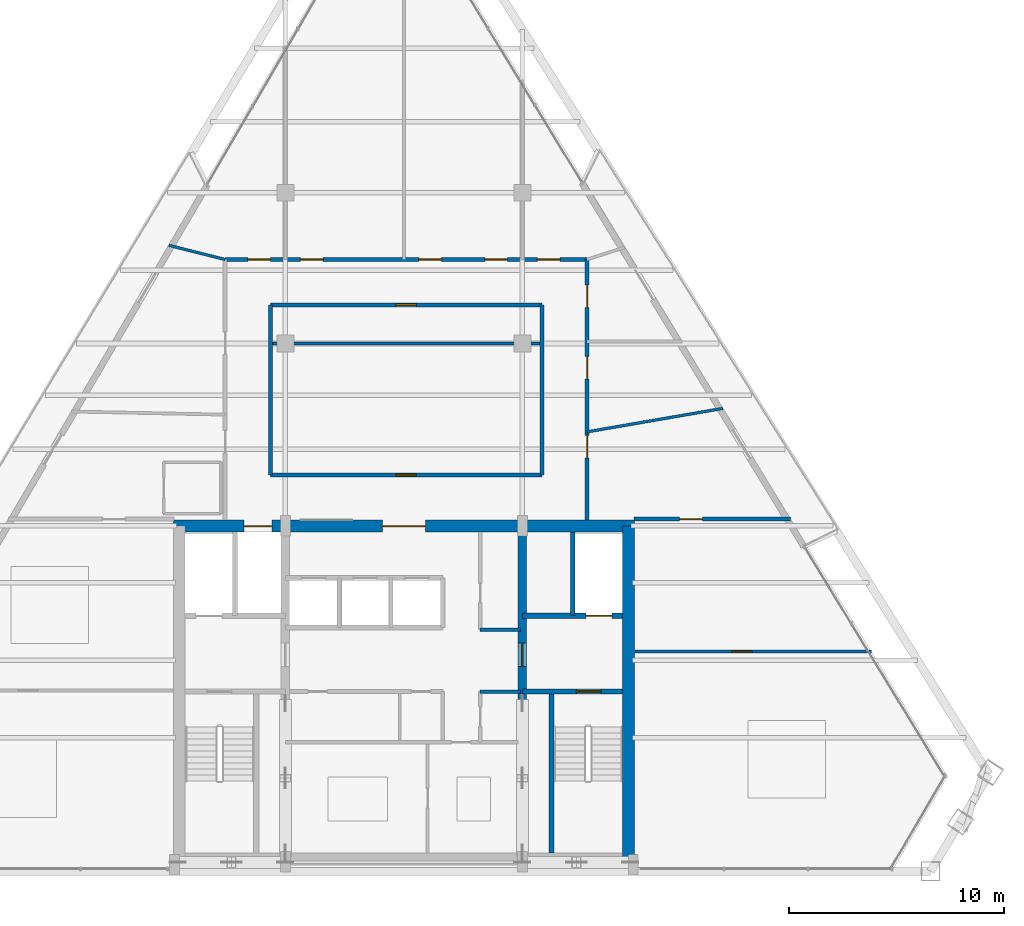
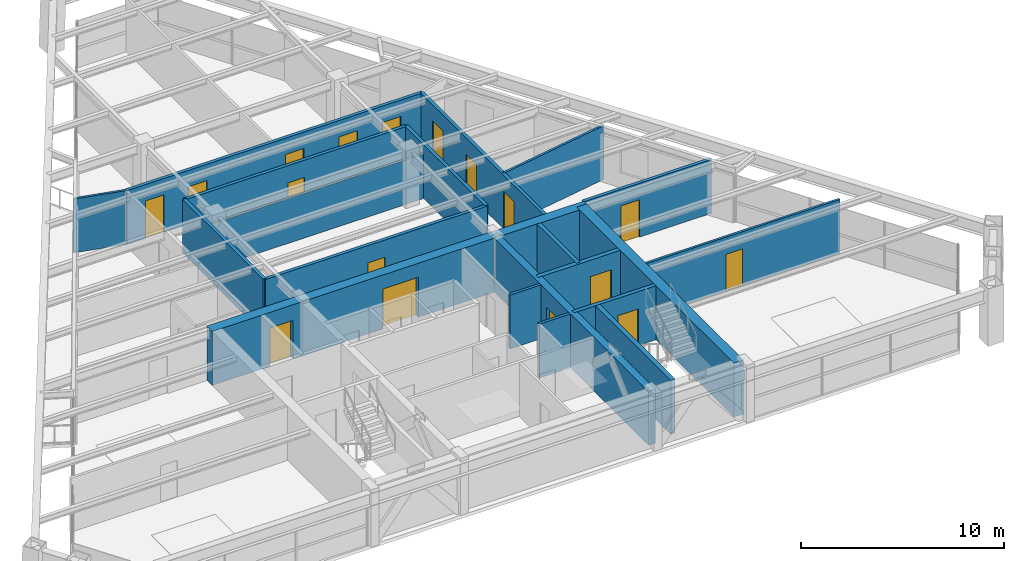
# One storey, part 10 of 13: 20 walls, 17 doors, 17 openings.
"""IFC4 building model written with IfcOpenShell, lengths in metres."""

import ifcopenshell
import ifcopenshell.guid

model = None  # the IFC model being written
_history = None  # IfcOwnerHistory: only IFC2X3 demands one
_inside = {}  # id of a spatial element -> (the spatial element, [elements in it])
_under = {}  # id of a project, library or spatial element -> (it, [spatial elements below it])
_declared = {}  # id of a project -> (the project, [libraries it declares])
_typed = {}  # id of a type object -> (the type object, [elements of that type])
_made_of = {}  # id of a material, layer set ... -> (it, [elements and type objects made of it])


def new_model(schema):
    """Start an empty IFC model of exactly this schema.

    Asked for "IFC4X3", IfcOpenShell would pick the latest addendum, in which some entities
    have other attributes; the version numbers below select the first issue.
    IFC2X3 requires an IfcOwnerHistory on every rooted entity: one is made here for all.
    """
    global model, _history
    if schema == "IFC4X3":
        model = ifcopenshell.file(schema_version=(4, 3, 0, 0))
    else:
        model = ifcopenshell.file(schema=schema)
    _inside.clear()
    _under.clear()
    _declared.clear()
    _typed.clear()
    _made_of.clear()
    _history = None
    if model.schema == "IFC2X3":
        org = make("IfcOrganization", Name="unknown")
        user = make(
            "IfcPersonAndOrganization",
            ThePerson=make("IfcPerson", FamilyName="unknown"),
            TheOrganization=org,
        )
        app = make(
            "IfcApplication",
            ApplicationDeveloper=org,
            Version="unknown",
            ApplicationFullName="unknown",
            ApplicationIdentifier="unknown",
        )
        _history = make(
            "IfcOwnerHistory",
            OwningUser=user,
            OwningApplication=app,
            ChangeAction="ADDED",
            CreationDate=0,
        )
    return model


def make(cls, **values):
    """One entity of the class cls with the attributes given. An attribute that is None is left unset."""
    return model.create_entity(
        cls, **{name: value for name, value in values.items() if value is not None}
    )


def rooted(cls, **values):
    """An entity with a GlobalId (a new one), such as an element, a storey or a relation."""
    return make(cls, GlobalId=ifcopenshell.guid.new(), OwnerHistory=_history, **values)


def si_unit(unit_type, name, prefix=None):
    """IfcSIUnit, for example si_unit("LENGTHUNIT", "METRE", prefix="MILLI")."""
    return make("IfcSIUnit", UnitType=unit_type, Prefix=prefix, Name=name)


def assignment(units):
    """IfcUnitAssignment: the units of a project."""
    return None if units is None else make("IfcUnitAssignment", Units=units)


def point(xyz):
    """IfcCartesianPoint."""
    return None if xyz is None else make("IfcCartesianPoint", Coordinates=xyz)


def direction(xyz):
    """IfcDirection."""
    return None if xyz is None else make("IfcDirection", DirectionRatios=xyz)


def frame(location, z_axis=None, x_axis=None):
    """IfcAxis2Placement3D, a coordinate frame: its origin and axes. An axis left out is left unset."""
    return make(
        "IfcAxis2Placement3D",
        Location=point(location),
        Axis=direction(z_axis),
        RefDirection=direction(x_axis),
    )


def frame_2d(location, x_axis=None):
    """IfcAxis2Placement2D, a coordinate frame in the plane: its origin and x axis."""
    return make(
        "IfcAxis2Placement2D", Location=point(location), RefDirection=direction(x_axis)
    )


def origin():
    """The frame at (0, 0, 0) with its axes left unset."""
    return frame((0.0, 0.0, 0.0))


def place(relative_to, where):
    """IfcLocalPlacement: puts the frame where relative to a parent placement (None: the world)."""
    return make(
        "IfcLocalPlacement", PlacementRelTo=relative_to, RelativePlacement=where
    )


def context(
    kind, dimensions, precision=None, world=None, true_north=None, identifier=None
):
    """IfcGeometricRepresentationContext, for example the 3D "Model" context."""
    return make(
        "IfcGeometricRepresentationContext",
        ContextIdentifier=identifier,
        ContextType=kind,
        CoordinateSpaceDimension=dimensions,
        Precision=precision,
        WorldCoordinateSystem=world,
        TrueNorth=true_north,
    )


def subcontext(parent, identifier, kind, view, scale=None):
    """IfcGeometricRepresentationSubContext, for example "Body" below "Model"."""
    return make(
        "IfcGeometricRepresentationSubContext",
        ContextIdentifier=identifier,
        ContextType=kind,
        ParentContext=parent,
        TargetScale=scale,
        TargetView=view,
    )


def project(units=None, contexts=None):
    """IfcProject with its units and contexts."""
    return rooted(
        "IfcProject",
        Name="project",
        RepresentationContexts=contexts,
        UnitsInContext=assignment(units),
    )


def spatial(cls, under=None, at=None, **own):
    """A site, building, storey or space (cls), placed at a placement, below another one or the project."""
    s = rooted(cls, ObjectPlacement=at, **own)
    if under is not None:
        _under.setdefault(under.id(), (under, []))[1].append(s)
    return s


def profile(cls, at=None, kind="AREA", **sizes):
    """A parametric profile (cls). Its sizes go by their IFC names, for example OverallWidth=200.0."""
    return make(cls, ProfileType=kind, Position=at, **sizes)


def rectangle(**sizes):
    """IfcRectangleProfileDef."""
    return profile("IfcRectangleProfileDef", **sizes)


def extrude(swept, where, along, depth):
    """IfcExtrudedAreaSolid: the profile swept, set in the frame where, extruded along a direction by depth."""
    return make(
        "IfcExtrudedAreaSolid",
        SweptArea=swept,
        Position=where,
        ExtrudedDirection=direction(along),
        Depth=depth,
    )


def shape(context_of_items, identifier, shape_type, items):
    """IfcShapeRepresentation: the items that make up one representation, for example the "Body"."""
    return make(
        "IfcShapeRepresentation",
        ContextOfItems=context_of_items,
        RepresentationIdentifier=identifier,
        RepresentationType=shape_type,
        Items=items,
    )


def source(mapping_origin, context_of_items, identifier, shape_type, items):
    """IfcRepresentationMap: a shape defined once, which mapped items show again and again."""
    return make(
        "IfcRepresentationMap",
        MappingOrigin=mapping_origin,
        MappedRepresentation=shape(context_of_items, identifier, shape_type, items),
    )


def transform(
    local_origin,
    x_axis=None,
    y_axis=None,
    z_axis=None,
    scale=None,
    scale2=None,
    scale3=None,
    uniform=True,
):
    """IfcCartesianTransformationOperator3D, or its non-uniform kind. x_axis, y_axis, z_axis: its Axis1, 2, 3."""
    if uniform:
        return make(
            "IfcCartesianTransformationOperator3D",
            Axis1=direction(x_axis),
            Axis2=direction(y_axis),
            LocalOrigin=point(local_origin),
            Scale=scale,
            Axis3=direction(z_axis),
        )
    return make(
        "IfcCartesianTransformationOperator3DnonUniform",
        Axis1=direction(x_axis),
        Axis2=direction(y_axis),
        LocalOrigin=point(local_origin),
        Scale=scale,
        Axis3=direction(z_axis),
        Scale2=scale2,
        Scale3=scale3,
    )


def mapped(mapping_source, mapping_target):
    """IfcMappedItem: shows the shape of a source again, moved by a transform."""
    return make(
        "IfcMappedItem", MappingSource=mapping_source, MappingTarget=mapping_target
    )


def material(Name=None, Category=None):
    """IfcMaterial."""
    return make("IfcMaterial", Name=Name, Category=Category)


def layer(
    of_material, thickness, ventilated=None, Name=None, Category=None, Priority=None
):
    """IfcMaterialLayer: one layer of a wall or slab, of a material (None: an air gap)."""
    return make(
        "IfcMaterialLayer",
        Material=of_material,
        LayerThickness=thickness,
        IsVentilated=ventilated,
        Name=Name,
        Category=Category,
        Priority=Priority,
    )


def layer_set(layers, Name=None):
    """IfcMaterialLayerSet."""
    return make("IfcMaterialLayerSet", MaterialLayers=layers, LayerSetName=Name)


def made_of(thing, what):
    """Note that an element or type object is made of a material, layer set ...; save() writes the relation."""
    if what is not None:
        _made_of.setdefault(what.id(), (what, []))[1].append(thing)
    return thing


def type_object(cls, material=None, **own):
    """A type object (cls), such as IfcWallType, which elements share."""
    return made_of(rooted(cls, **own), material)


def type_shapes(of_type, sources):
    """Give a type object the sources (RepresentationMaps) that its elements show as mapped items."""
    of_type.RepresentationMaps = sources


def element(
    cls,
    number,
    at=None,
    inside=None,
    cuts=None,
    type_object=None,
    material=None,
    context=None,
    identifier="Body",
    shape_type=None,
    held_by="IfcProductDefinitionShape",
    body=None,
    shapes=None,
    **own,
):
    """One element of the class cls, such as IfcWall. Its Tag is "e" and its number.

    at: its placement. inside: the storey or other place that contains it. cuts: it is an
    opening in that element (IfcRelVoidsElement). A single representation is given by context,
    identifier, shape_type and body (its items); several are given by shapes. held_by: the class
    of the entity that holds the representations. save() writes the other relations.
    """
    e = rooted(cls, Tag="e%d" % number, ObjectPlacement=at, **own)
    if body is not None:
        shapes = [shape(context, identifier, shape_type, body)]
    if shapes is not None:
        e.Representation = make(held_by, Representations=shapes)
    if inside is not None:
        _inside.setdefault(inside.id(), (inside, []))[1].append(e)
    if cuts is not None:
        rooted(
            "IfcRelVoidsElement", RelatingBuildingElement=cuts, RelatedOpeningElement=e
        )
    if type_object is not None:
        _typed.setdefault(type_object.id(), (type_object, []))[1].append(e)
    return made_of(e, material)


def fill(opening, filler):
    """IfcRelFillsElement: the door or window that sits in an opening."""
    return rooted(
        "IfcRelFillsElement",
        RelatingOpeningElement=opening,
        RelatedBuildingElement=filler,
    )


def aggregate(whole, parts):
    """IfcRelAggregates: a whole, such as a stair, and the parts it consists of."""
    return rooted("IfcRelAggregates", RelatingObject=whole, RelatedObjects=parts)


def save(model, path):
    """Write the relations noted so far, then the file.

    IfcRelAggregates (storeys below a building ...), IfcRelContainedInSpatialStructure (elements
    in a storey), IfcRelDefinesByType, IfcRelAssociatesMaterial and IfcRelDeclares: one each for
    every whole, place, type object, material and project.
    """
    for whole, parts in _under.values():
        aggregate(whole, parts)
    for where, things in _inside.values():
        rooted(
            "IfcRelContainedInSpatialStructure",
            RelatedElements=things,
            RelatingStructure=where,
        )
    for kind, things in _typed.values():
        rooted("IfcRelDefinesByType", RelatedObjects=things, RelatingType=kind)
    for what, things in _made_of.values():
        rooted("IfcRelAssociatesMaterial", RelatedObjects=things, RelatingMaterial=what)
    for by, libraries in _declared.values():
        rooted("IfcRelDeclares", RelatingContext=by, RelatedDefinitions=libraries)
    model.write(path)


model = new_model("IFC4")

# Units and contexts
model_context = context("Model", 3, precision=1e-05, world=origin(), true_north=direction((0.0, 1.0)))
body_context = subcontext(model_context, "Body", "Model", "MODEL_VIEW")
ifc_project = project(units=[si_unit("LENGTHUNIT", "METRE"), si_unit("AREAUNIT", "SQUARE_METRE"), si_unit("VOLUMEUNIT", "CUBIC_METRE"), si_unit("PLANEANGLEUNIT", "RADIAN"), si_unit("MASSUNIT", "GRAM", prefix="KILO")], contexts=[model_context])

# Site, building, storey
site_placement = place(None, origin())
site = spatial("IfcSite", under=ifc_project, at=site_placement, CompositionType="ELEMENT")
building_placement = place(site_placement, origin())
building = spatial("IfcBuilding", under=site, at=building_placement, Name="Varnakhor Terracotta Tower", CompositionType="ELEMENT")
storey_placement = place(building_placement, frame((0.0, 0.0, 251.050048828125)))
storey = spatial("IfcBuildingStorey", under=building, at=storey_placement, Name="L65", CompositionType="ELEMENT", Elevation=251.050048828125)

# Wall, openings, doors
ifc_material_1 = material(Name="Concrete C50/60", Category="concrete")
ifc_layer_1 = layer(ifc_material_1, 0.550048828125, Name="Concrete C50/60")
ifc_layer_set_1 = layer_set([ifc_layer_1], Name="Concrete C50/60")
wall_type_1 = type_object("IfcWallType", Name="WAL-CORE-550", PredefinedType="SHEAR", material=ifc_layer_set_1)
wall_1_placement = place(storey_placement, frame((-10.699951171875, 16.02490234375, 0.0), z_axis=(0.0, 0.0, 1.0), x_axis=(1.0, 0.0, 0.0)))
wall_1 = element("IfcWall", 1, at=wall_1_placement, inside=storey, type_object=wall_type_1, Name="L65 North Core Shear Wall", PredefinedType="SHEAR", context=body_context, shape_type="SweptSolid", body=[
    extrude(rectangle(XDim=21.39990234375, YDim=0.550048828125, at=frame_2d((10.699951171875, 0.0))), origin(), (0.0, 0.0, 1.0), 3.239990234375),
])
opening_1_placement = place(wall_1_placement, frame((3.27001953125, 0.0, 0.0)))
opening_1 = element("IfcOpeningElement", 2, at=opening_1_placement, cuts=wall_1, Name="Opening LD-03", PredefinedType="OPENING", context=body_context, shape_type="SweptSolid", body=[
    extrude(rectangle(XDim=1.300048828125, YDim=2.300048828125, at=frame_2d((0.64990234375, 1.14990234375))), frame((0.0, 0.28515625, 0.0), z_axis=(0.0, -1.0, 0.0), x_axis=(1.0, 0.0, 0.0)), (0.0, 0.0, 1.0), 0.570068359375),
])
opening_2_placement = place(wall_1_placement, frame((9.699951171875, 0.0, 0.0)))
opening_2 = element("IfcOpeningElement", 3, at=opening_2_placement, cuts=wall_1, Name="Opening DR-32", PredefinedType="OPENING", context=body_context, shape_type="SweptSolid", body=[
    extrude(rectangle(XDim=2.0, YDim=2.39990234375, at=frame_2d((1.0, 1.199951171875))), frame((0.0, 0.28515625, 0.0), z_axis=(0.0, -1.0, 0.0), x_axis=(1.0, 0.0, 0.0)), (0.0, 0.0, 1.0), 0.570068359375),
])
ifc_material_2 = material(Name="Heavy-Duty Goods Sliding Lift Landing Door", Category="steel")
door_type_1 = type_object("IfcDoorType", Name="LD-SRV-1300X2300", OperationType="NOTDEFINED", PredefinedType="DOOR", material=ifc_material_2)
shared_shape_1 = source(origin(), body_context, "Body", "SweptSolid", [
    extrude(rectangle(XDim=1.300048828125, YDim=2.300048828125, at=frame_2d((0.64990234375, 1.14990234375))), frame((0.0, 0.02490234375, 0.0), z_axis=(0.0, -1.0, 0.0), x_axis=(1.0, 0.0, 0.0)), (0.0, 0.0, 1.0), 0.050048828125),
])
type_shapes(door_type_1, [shared_shape_1])
door_1_placement = place(opening_1_placement, origin())
door_1 = element("IfcDoor", 4, at=door_1_placement, inside=storey, type_object=door_type_1, Name="L65 Service Lift SVL-1 Landing Door", OperationType="SLIDING_TO_RIGHT", OverallHeight=2.300048828125, OverallWidth=1.300048828125, PredefinedType="DOOR", context=body_context, shape_type="MappedRepresentation", body=[
    mapped(shared_shape_1, transform((0.0, 0.0, 0.0), scale=1.0)),
])
fill(opening_1, door_1)
ifc_material_3 = material(Name="Acoustic Double Assembly Fire Door", Category="wood")
door_type_2 = type_object("IfcDoorType", Name="DR-HALL-2000X2400", OperationType="NOTDEFINED", PredefinedType="DOOR", material=ifc_material_3)
shared_shape_2 = source(origin(), body_context, "Body", "SweptSolid", [
    extrude(rectangle(XDim=2.0, YDim=2.39990234375, at=frame_2d((1.0, 1.199951171875))), frame((0.0, 0.02490234375, 0.0), z_axis=(0.0, -1.0, 0.0), x_axis=(1.0, 0.0, 0.0)), (0.0, 0.0, 1.0), 0.050048828125),
])
type_shapes(door_type_2, [shared_shape_2])
door_2_placement = place(opening_2_placement, origin())
door_2 = element("IfcDoor", 5, at=door_2_placement, inside=storey, type_object=door_type_2, Name="L65 Core Main Lobby Double Door", OperationType="DOUBLE_DOOR_SINGLE_SWING", OverallHeight=2.39990234375, OverallWidth=2.0, PredefinedType="DOOR", context=body_context, shape_type="MappedRepresentation", body=[
    mapped(shared_shape_2, transform((0.0, 0.0, 0.0), scale=1.0)),
])
fill(opening_2, door_2)

# Wall
wall_2_placement = place(storey_placement, frame((10.425048828125, 0.574951171875, 0.0), z_axis=(0.0, 0.0, 1.0), x_axis=(0.0, 1.0, 0.0)))
element("IfcWall", 6, at=wall_2_placement, inside=storey, type_object=wall_type_1, Name="L65 East Core Shear Wall", PredefinedType="SHEAR", context=body_context, shape_type="SweptSolid", body=[
    extrude(rectangle(XDim=15.449951171875, YDim=0.550048828125, at=frame_2d((7.72509765625, 0.0))), origin(), (0.0, 0.0, 1.0), 3.239990234375),
])

# Wall, opening, door
ifc_layer_2 = layer(ifc_material_1, 0.39990234375, Name="Concrete C50/60")
ifc_layer_set_2 = layer_set([ifc_layer_2], Name="Concrete C50/60")
wall_type_2 = type_object("IfcWallType", Name="WAL-CORE-WEB-400", PredefinedType="SHEAR", material=ifc_layer_set_2)
wall_3_placement = place(storey_placement, frame((5.5, 0.574951171875, 0.0), z_axis=(0.0, 0.0, 1.0), x_axis=(0.0, 1.0, 0.0)))
wall_3 = element("IfcWall", 7, at=wall_3_placement, inside=storey, type_object=wall_type_2, Name="L65 East Core Web Shear Wall", PredefinedType="SHEAR", context=body_context, shape_type="SweptSolid", body=[
    extrude(rectangle(XDim=15.449951171875, YDim=0.39990234375, at=frame_2d((7.72509765625, 0.0))), origin(), (0.0, 0.0, 1.0), 3.239990234375),
])
opening_3_placement = place(wall_3_placement, frame((8.925048828125, 0.0, 0.0)))
opening_3 = element("IfcOpeningElement", 8, at=opening_3_placement, cuts=wall_3, Name="Opening DR-25", PredefinedType="OPENING", context=body_context, shape_type="SweptSolid", body=[
    extrude(rectangle(XDim=1.10009765625, YDim=2.199951171875, at=frame_2d((0.550048828125, 1.10009765625))), frame((0.0, 0.2099609375, 0.0), z_axis=(0.0, -1.0, 0.0), x_axis=(1.0, 0.0, 0.0)), (0.0, 0.0, 1.0), 0.419921875),
])
ifc_material_4 = material(Name="Firefighting Lobby Self-Closing Fire Door", Category="steel")
door_type_3 = type_object("IfcDoorType", Name="DR-FFL-1100X2200", OperationType="NOTDEFINED", PredefinedType="DOOR", material=ifc_material_4)
shared_shape_3 = source(origin(), body_context, "Body", "SweptSolid", [
    extrude(rectangle(XDim=1.10009765625, YDim=2.199951171875, at=frame_2d((0.550048828125, 1.10009765625))), frame((0.0, 0.02490234375, 0.0), z_axis=(0.0, -1.0, 0.0), x_axis=(1.0, 0.0, 0.0)), (0.0, 0.0, 1.0), 0.050048828125),
])
type_shapes(door_type_3, [shared_shape_3])
door_3_placement = place(opening_3_placement, origin())
door_3 = element("IfcDoor", 9, at=door_3_placement, inside=storey, type_object=door_type_3, Name="L65 East Firefighting Lobby Door", OperationType="SINGLE_SWING_LEFT", OverallHeight=2.199951171875, OverallWidth=1.10009765625, PredefinedType="DOOR", context=body_context, shape_type="MappedRepresentation", body=[
    mapped(shared_shape_3, transform((0.0, 0.0, 0.0), scale=1.0)),
])
fill(opening_3, door_3)

ifc_material_5 = material(Name="Fire-Rated Gypsum Stud Partition", Category="gypsum")
ifc_layer_3 = layer(ifc_material_5, 0.18505859375, Name="Fire-Rated Gypsum Stud Partition")
ifc_layer_set_3 = layer_set([ifc_layer_3], Name="Fire-Rated Gypsum Stud Partition")
wall_type_3 = type_object("IfcWallType", Name="WAL-CORR-185", PredefinedType="PARTITIONING", material=ifc_layer_set_3)
wall_4_placement = place(storey_placement, frame((-6.199951171875, 18.39990234375, 0.0), z_axis=(0.0, 0.0, 1.0), x_axis=(1.0, 0.0, 0.0)))
wall_4 = element("IfcWall", 10, at=wall_4_placement, inside=storey, type_object=wall_type_3, Name="L65 Ring Inner South Wall", PredefinedType="PARTITIONING", context=body_context, shape_type="SweptSolid", body=[
    extrude(rectangle(XDim=12.599853515625, YDim=0.18505859375, at=frame_2d((6.2998046875, 0.0))), origin(), (0.0, 0.0, 1.0), 3.23193359375),
])
opening_4_placement = place(wall_4_placement, frame((5.824951171875, 0.0, 0.0)))
opening_4 = element("IfcOpeningElement", 11, at=opening_4_placement, cuts=wall_4, Name="Opening DR-94", PredefinedType="OPENING", context=body_context, shape_type="SweptSolid", body=[
    extrude(rectangle(XDim=0.949951171875, YDim=2.199951171875, at=frame_2d((0.47509765625, 1.10009765625))), frame((0.0, 0.1025390625, 0.0), z_axis=(0.0, -1.0, 0.0), x_axis=(1.0, 0.0, 0.0)), (0.0, 0.0, 1.0), 0.205078125),
])
ifc_material_6 = material(Name="Acoustic Glazed-Vision Timber Office Door", Category="wood")
door_type_4 = type_object("IfcDoorType", Name="DR-OFF-950X2200", OperationType="NOTDEFINED", PredefinedType="DOOR", material=ifc_material_6)
shared_shape_4 = source(origin(), body_context, "Body", "SweptSolid", [
    extrude(rectangle(XDim=0.949951171875, YDim=2.199951171875, at=frame_2d((0.47509765625, 1.10009765625))), frame((0.0, 0.02490234375, 0.0), z_axis=(0.0, -1.0, 0.0), x_axis=(1.0, 0.0, 0.0)), (0.0, 0.0, 1.0), 0.050048828125),
])
type_shapes(door_type_4, [shared_shape_4])
door_4_placement = place(opening_4_placement, origin())
door_4 = element("IfcDoor", 12, at=door_4_placement, inside=storey, type_object=door_type_4, Name="L65 Housekeeping Station Door", OperationType="SINGLE_SWING_RIGHT", OverallHeight=2.199951171875, OverallWidth=0.949951171875, PredefinedType="DOOR", context=body_context, shape_type="MappedRepresentation", body=[
    mapped(shared_shape_4, transform((0.0, 0.0, 0.0), scale=1.0)),
])
fill(opening_4, door_4)

wall_5_placement = place(storey_placement, frame((-6.199951171875, 26.300048828125, 0.0), z_axis=(0.0, 0.0, 1.0), x_axis=(1.0, 0.0, 0.0)))
wall_5 = element("IfcWall", 13, at=wall_5_placement, inside=storey, type_object=wall_type_3, Name="L65 Ring Inner North Wall", PredefinedType="PARTITIONING", context=body_context, shape_type="SweptSolid", body=[
    extrude(rectangle(XDim=12.599853515625, YDim=0.18505859375, at=frame_2d((6.2998046875, 0.0))), origin(), (0.0, 0.0, 1.0), 3.23193359375),
])
opening_5_placement = place(wall_5_placement, frame((5.824951171875, 0.0, 0.0)))
opening_5 = element("IfcOpeningElement", 14, at=opening_5_placement, cuts=wall_5, Name="Opening DR-94", PredefinedType="OPENING", context=body_context, shape_type="SweptSolid", body=[
    extrude(rectangle(XDim=0.949951171875, YDim=2.199951171875, at=frame_2d((0.47509765625, 1.10009765625))), frame((0.0, 0.1025390625, 0.0), z_axis=(0.0, -1.0, 0.0), x_axis=(1.0, 0.0, 0.0)), (0.0, 0.0, 1.0), 0.205078125),
])
door_5_placement = place(opening_5_placement, origin())
door_5 = element("IfcDoor", 15, at=door_5_placement, inside=storey, type_object=door_type_4, Name="L65 Inner Service Door", OperationType="SINGLE_SWING_LEFT", OverallHeight=2.199951171875, OverallWidth=0.949951171875, PredefinedType="DOOR", context=body_context, shape_type="MappedRepresentation", body=[
    mapped(shared_shape_4, transform((0.0, 0.0, 0.0), scale=1.0)),
])
fill(opening_5, door_5)

# Walls
for number, where, z_axis, x_axis, name in (
    (16, (-6.199951171875, 18.39990234375, 0.0), (0.0, 0.0, 1.0), (0.0, 1.0, 0.0), "L65 Ring Inner West Wall"),
    (17, (6.39990234375, 18.39990234375, 0.0), (0.0, 0.0, 1.0), (0.0, 1.0, 0.0), "L65 Ring Inner East Wall"),
):
    element("IfcWall", number, at=place(storey_placement, frame(where, z_axis=z_axis, x_axis=x_axis)), inside=storey, type_object=wall_type_3, Name=name, PredefinedType="PARTITIONING", context=body_context, shape_type="SweptSolid", body=[
        extrude(rectangle(XDim=7.900146484375, YDim=0.18505859375, at=frame_2d((3.9501953125, 0.0))), origin(), (0.0, 0.0, 1.0), 3.23193359375),
    ])

# Wall, openings, doors
wall_6_placement = place(storey_placement, frame((8.5, 16.300048828125, 0.0), z_axis=(0.0, 0.0, 1.0), x_axis=(0.0, 1.0, 0.0)))
wall_6 = element("IfcWall", 18, at=wall_6_placement, inside=storey, type_object=wall_type_3, Name="L65 Hotel East Corridor Wall", PredefinedType="PARTITIONING", context=body_context, shape_type="SweptSolid", body=[
    extrude(rectangle(XDim=12.099853515625, YDim=0.18505859375, at=frame_2d((6.0498046875, 0.0))), origin(), (0.0, 0.0, 1.0), 3.23193359375),
])
opening_6_placement = place(wall_6_placement, frame((2.88232421875, 0.0, 0.0)))
opening_6 = element("IfcOpeningElement", 19, at=opening_6_placement, cuts=wall_6, Name="Opening DR-95", PredefinedType="OPENING", context=body_context, shape_type="SweptSolid", body=[
    extrude(rectangle(XDim=1.050048828125, YDim=2.25, at=frame_2d((0.52490234375, 1.125))), frame((0.0, 0.1025390625, 0.0), z_axis=(0.0, -1.0, 0.0), x_axis=(1.0, 0.0, 0.0)), (0.0, 0.0, 1.0), 0.205078125),
])
opening_7_placement = place(wall_6_placement, frame((6.552490234375, 0.0, 0.0)))
opening_7 = element("IfcOpeningElement", 20, at=opening_7_placement, cuts=wall_6, Name="Opening DR-95", PredefinedType="OPENING", context=body_context, shape_type="SweptSolid", body=[
    extrude(rectangle(XDim=1.050048828125, YDim=2.25, at=frame_2d((0.52490234375, 1.125))), frame((0.0, 0.1025390625, 0.0), z_axis=(0.0, -1.0, 0.0), x_axis=(1.0, 0.0, 0.0)), (0.0, 0.0, 1.0), 0.205078125),
])
opening_8_placement = place(wall_6_placement, frame((9.864501953125, 0.0, 0.0)))
opening_8 = element("IfcOpeningElement", 21, at=opening_8_placement, cuts=wall_6, Name="Opening DR-95", PredefinedType="OPENING", context=body_context, shape_type="SweptSolid", body=[
    extrude(rectangle(XDim=1.050048828125, YDim=2.25, at=frame_2d((0.52490234375, 1.125))), frame((0.0, 0.1025390625, 0.0), z_axis=(0.0, -1.0, 0.0), x_axis=(1.0, 0.0, 0.0)), (0.0, 0.0, 1.0), 0.205078125),
])
ifc_material_7 = material(Name="Solid-Core Timber Tenant/Hotel Entrance Door", Category="wood")
door_type_5 = type_object("IfcDoorType", Name="DR-SUITE-1050X2250", OperationType="NOTDEFINED", PredefinedType="DOOR", material=ifc_material_7)
shared_shape_5 = source(origin(), body_context, "Body", "SweptSolid", [
    extrude(rectangle(XDim=1.050048828125, YDim=2.25, at=frame_2d((0.52490234375, 1.125))), frame((0.0, 0.02490234375, 0.0), z_axis=(0.0, -1.0, 0.0), x_axis=(1.0, 0.0, 0.0)), (0.0, 0.0, 1.0), 0.050048828125),
])
type_shapes(door_type_5, [shared_shape_5])
door_6_placement = place(opening_6_placement, origin())
door_6 = element("IfcDoor", 22, at=door_6_placement, inside=storey, type_object=door_type_5, Name="L65 East Room 1 Entry Door", OperationType="SINGLE_SWING_LEFT", OverallHeight=2.25, OverallWidth=1.050048828125, PredefinedType="DOOR", context=body_context, shape_type="MappedRepresentation", body=[
    mapped(shared_shape_5, transform((0.0, 0.0, 0.0), scale=1.0)),
])
fill(opening_6, door_6)
door_7_placement = place(opening_7_placement, origin())
door_7 = element("IfcDoor", 23, at=door_7_placement, inside=storey, type_object=door_type_5, Name="L65 East Room 2 Entry Door", OperationType="SINGLE_SWING_RIGHT", OverallHeight=2.25, OverallWidth=1.050048828125, PredefinedType="DOOR", context=body_context, shape_type="MappedRepresentation", body=[
    mapped(shared_shape_5, transform((0.0, 0.0, 0.0), scale=1.0)),
])
fill(opening_7, door_7)
door_8_placement = place(opening_8_placement, origin())
door_8 = element("IfcDoor", 24, at=door_8_placement, inside=storey, type_object=door_type_5, Name="L65 East Room 3 Entry Door", OperationType="SINGLE_SWING_LEFT", OverallHeight=2.25, OverallWidth=1.050048828125, PredefinedType="DOOR", context=body_context, shape_type="MappedRepresentation", body=[
    mapped(shared_shape_5, transform((0.0, 0.0, 0.0), scale=1.0)),
])
fill(opening_8, door_8)

wall_7_placement = place(storey_placement, frame((-8.300048828125, 28.39990234375, 0.0), z_axis=(0.0, 0.0, 1.0), x_axis=(1.0, 0.0, 0.0)))
wall_7 = element("IfcWall", 25, at=wall_7_placement, inside=storey, type_object=wall_type_3, Name="L65 Hotel North Corridor Wall", PredefinedType="PARTITIONING", context=body_context, shape_type="SweptSolid", body=[
    extrude(rectangle(XDim=16.800048828125, YDim=0.18505859375, at=frame_2d((8.39990234375, 0.0))), origin(), (0.0, 0.0, 1.0), 3.23193359375),
])
opening_9_placement = place(wall_7_placement, frame((3.49755859375, 0.0, 0.0)))
opening_9 = element("IfcOpeningElement", 26, at=opening_9_placement, cuts=wall_7, Name="Opening DR-95", PredefinedType="OPENING", context=body_context, shape_type="SweptSolid", body=[
    extrude(rectangle(XDim=1.050048828125, YDim=2.25, at=frame_2d((0.52490234375, 1.125))), frame((0.0, 0.1025390625, 0.0), z_axis=(0.0, -1.0, 0.0), x_axis=(1.0, 0.0, 0.0)), (0.0, 0.0, 1.0), 0.205078125),
])
opening_10_placement = place(wall_7_placement, frame((8.99755859375, 0.0, 0.0)))
opening_10 = element("IfcOpeningElement", 27, at=opening_10_placement, cuts=wall_7, Name="Opening DR-95", PredefinedType="OPENING", context=body_context, shape_type="SweptSolid", body=[
    extrude(rectangle(XDim=1.050048828125, YDim=2.25, at=frame_2d((0.52490234375, 1.125))), frame((0.0, 0.1025390625, 0.0), z_axis=(0.0, -1.0, 0.0), x_axis=(1.0, 0.0, 0.0)), (0.0, 0.0, 1.0), 0.205078125),
])
opening_11_placement = place(wall_7_placement, frame((12.052490234375, 0.0, 0.0)))
opening_11 = element("IfcOpeningElement", 28, at=opening_11_placement, cuts=wall_7, Name="Opening DR-95", PredefinedType="OPENING", context=body_context, shape_type="SweptSolid", body=[
    extrude(rectangle(XDim=1.050048828125, YDim=2.25, at=frame_2d((0.52490234375, 1.125))), frame((0.0, 0.1025390625, 0.0), z_axis=(0.0, -1.0, 0.0), x_axis=(1.0, 0.0, 0.0)), (0.0, 0.0, 1.0), 0.205078125),
])
opening_12_placement = place(wall_7_placement, frame((14.49755859375, 0.0, 0.0)))
opening_12 = element("IfcOpeningElement", 29, at=opening_12_placement, cuts=wall_7, Name="Opening DR-95", PredefinedType="OPENING", context=body_context, shape_type="SweptSolid", body=[
    extrude(rectangle(XDim=1.050048828125, YDim=2.25, at=frame_2d((0.52490234375, 1.125))), frame((0.0, 0.1025390625, 0.0), z_axis=(0.0, -1.0, 0.0), x_axis=(1.0, 0.0, 0.0)), (0.0, 0.0, 1.0), 0.205078125),
])
opening_13_placement = place(wall_7_placement, frame((1.052490234375, 0.0, 0.0)))
opening_13 = element("IfcOpeningElement", 30, at=opening_13_placement, cuts=wall_7, Name="Opening DR-95", PredefinedType="OPENING", context=body_context, shape_type="SweptSolid", body=[
    extrude(rectangle(XDim=1.050048828125, YDim=2.25, at=frame_2d((0.52490234375, 1.125))), frame((0.0, 0.1025390625, 0.0), z_axis=(0.0, -1.0, 0.0), x_axis=(1.0, 0.0, 0.0)), (0.0, 0.0, 1.0), 0.205078125),
])
door_9_placement = place(opening_9_placement, origin())
door_9 = element("IfcDoor", 31, at=door_9_placement, inside=storey, type_object=door_type_5, Name="L65 North Suite 1 Entry Door", OperationType="SINGLE_SWING_RIGHT", OverallHeight=2.25, OverallWidth=1.050048828125, PredefinedType="DOOR", context=body_context, shape_type="MappedRepresentation", body=[
    mapped(shared_shape_5, transform((0.0, 0.0, 0.0), scale=1.0)),
])
fill(opening_9, door_9)
door_10_placement = place(opening_10_placement, origin())
door_10 = element("IfcDoor", 32, at=door_10_placement, inside=storey, type_object=door_type_5, Name="L65 North Suite 2 Entry Door", OperationType="SINGLE_SWING_LEFT", OverallHeight=2.25, OverallWidth=1.050048828125, PredefinedType="DOOR", context=body_context, shape_type="MappedRepresentation", body=[
    mapped(shared_shape_5, transform((0.0, 0.0, 0.0), scale=1.0)),
])
fill(opening_10, door_10)
door_11_placement = place(opening_11_placement, origin())
door_11 = element("IfcDoor", 33, at=door_11_placement, inside=storey, type_object=door_type_5, Name="L65 North Suite 3 Entry Door", OperationType="SINGLE_SWING_RIGHT", OverallHeight=2.25, OverallWidth=1.050048828125, PredefinedType="DOOR", context=body_context, shape_type="MappedRepresentation", body=[
    mapped(shared_shape_5, transform((0.0, 0.0, 0.0), scale=1.0)),
])
fill(opening_11, door_11)
door_12_placement = place(opening_12_placement, origin())
door_12 = element("IfcDoor", 34, at=door_12_placement, inside=storey, type_object=door_type_5, Name="L65 Press Office NE Door", OperationType="SINGLE_SWING_LEFT", OverallHeight=2.25, OverallWidth=1.050048828125, PredefinedType="DOOR", context=body_context, shape_type="MappedRepresentation", body=[
    mapped(shared_shape_5, transform((0.0, 0.0, 0.0), scale=1.0)),
])
fill(opening_12, door_12)
door_13_placement = place(opening_13_placement, origin())
door_13 = element("IfcDoor", 35, at=door_13_placement, inside=storey, type_object=door_type_5, Name="L65 Press Office NW Door", OperationType="SINGLE_SWING_RIGHT", OverallHeight=2.25, OverallWidth=1.050048828125, PredefinedType="DOOR", context=body_context, shape_type="MappedRepresentation", body=[
    mapped(shared_shape_5, transform((0.0, 0.0, 0.0), scale=1.0)),
])
fill(opening_13, door_13)

# Wall, opening, door
wall_8_placement = place(storey_placement, frame((10.679931640625, 16.35009765625, 0.0), z_axis=(0.0, 0.0, 1.0), x_axis=(1.0, 0.0, 0.0)))
wall_8 = element("IfcWall", 36, at=wall_8_placement, inside=storey, type_object=wall_type_3, Name="L65 South East Guest Entry Wall", PredefinedType="PARTITIONING", context=body_context, shape_type="SweptSolid", body=[
    extrude(rectangle(XDim=7.258056640625, YDim=0.18505859375, at=frame_2d((3.62890625, 0.0))), origin(), (0.0, 0.0, 1.0), 3.23193359375),
])
opening_14_placement = place(wall_8_placement, frame((2.1171875, 0.0, 0.0)))
opening_14 = element("IfcOpeningElement", 37, at=opening_14_placement, cuts=wall_8, Name="Opening DR-95", PredefinedType="OPENING", context=body_context, shape_type="SweptSolid", body=[
    extrude(rectangle(XDim=1.050048828125, YDim=2.25, at=frame_2d((0.52490234375, 1.125))), frame((0.0, 0.1025390625, 0.0), z_axis=(0.0, -1.0, 0.0), x_axis=(1.0, 0.0, 0.0)), (0.0, 0.0, 1.0), 0.205078125),
])
door_14_placement = place(opening_14_placement, origin())
door_14 = element("IfcDoor", 38, at=door_14_placement, inside=storey, type_object=door_type_5, Name="L65 SE Suite Entry Door", OperationType="SINGLE_SWING_LEFT", OverallHeight=2.25, OverallWidth=1.050048828125, PredefinedType="DOOR", context=body_context, shape_type="MappedRepresentation", body=[
    mapped(shared_shape_5, transform((0.0, 0.0, 0.0), scale=1.0)),
])
fill(opening_14, door_14)

ifc_material_8 = material(Name="Concrete C40/50", Category="concrete")
ifc_layer_4 = layer(ifc_material_8, 0.219970703125, Name="Concrete C40/50")
ifc_layer_set_4 = layer_set([ifc_layer_4], Name="Concrete C40/50")
wall_type_4 = type_object("IfcWallType", Name="WAL-FFLOBBY-220", PredefinedType="SOLIDWALL", material=ifc_layer_set_4)
wall_9_placement = place(storey_placement, frame((10.14990234375, 8.35009765625, 0.0), z_axis=(0.0, 0.0, 1.0), x_axis=(-1.0, 0.0, 0.0)))
wall_9 = element("IfcWall", 39, at=wall_9_placement, inside=storey, type_object=wall_type_4, Name="L65 East Firefighting Lobby Stair Wall", PredefinedType="SOLIDWALL", context=body_context, shape_type="SweptSolid", body=[
    extrude(rectangle(XDim=4.64990234375, YDim=0.219970703125, at=frame_2d((2.324951171875, 0.0))), origin(), (0.0, 0.0, 1.0), 3.239990234375),
])
opening_15_placement = place(wall_9_placement, frame((1.0, 0.0, 0.0)))
opening_15 = element("IfcOpeningElement", 40, at=opening_15_placement, cuts=wall_9, Name="Opening DR-34", PredefinedType="OPENING", context=body_context, shape_type="SweptSolid", body=[
    extrude(rectangle(XDim=1.14990234375, YDim=2.199951171875, at=frame_2d((0.574951171875, 1.10009765625))), frame((0.0, 0.1201171875, 0.0), z_axis=(0.0, -1.0, 0.0), x_axis=(1.0, 0.0, 0.0)), (0.0, 0.0, 1.0), 0.239990234375),
])
ifc_material_9 = material(Name="Self-Closing Smoke-Sealed Steel Fire Door", Category="steel")
door_type_6 = type_object("IfcDoorType", Name="DR-STAIR-1150X2200", OperationType="NOTDEFINED", PredefinedType="DOOR", material=ifc_material_9)
shared_shape_6 = source(origin(), body_context, "Body", "SweptSolid", [
    extrude(rectangle(XDim=1.14990234375, YDim=2.199951171875, at=frame_2d((0.574951171875, 1.10009765625))), frame((0.0, 0.02490234375, 0.0), z_axis=(0.0, -1.0, 0.0), x_axis=(1.0, 0.0, 0.0)), (0.0, 0.0, 1.0), 0.050048828125),
])
type_shapes(door_type_6, [shared_shape_6])
door_15_placement = place(opening_15_placement, origin())
door_15 = element("IfcDoor", 41, at=door_15_placement, inside=storey, type_object=door_type_6, Name="L65 Exit Stair ST-2 Fire Door", OperationType="SINGLE_SWING_RIGHT", OverallHeight=2.199951171875, OverallWidth=1.14990234375, PredefinedType="DOOR", context=body_context, shape_type="MappedRepresentation", body=[
    mapped(shared_shape_6, transform((0.0, 0.0, 0.0), scale=1.0)),
])
fill(opening_15, door_15)

# Wall
ifc_material_10 = material(Name="Acoustic Hotel Room Partition", Category="gypsum")
ifc_layer_5 = layer(ifc_material_10, 0.1298828125, Name="Acoustic Hotel Room Partition")
ifc_layer_set_5 = layer_set([ifc_layer_5], Name="Acoustic Hotel Room Partition")
wall_type_5 = type_object("IfcWallType", Name="WAL-PART-130", PredefinedType="PARTITIONING", material=ifc_layer_set_5)
wall_10_placement = place(storey_placement, frame((-10.91455078125, 29.059814453125, 0.0), z_axis=(0.0, 0.0, 1.0), x_axis=(0.969591453575, -0.244729265012, 0.0)))
element("IfcWall", 42, at=wall_10_placement, inside=storey, type_object=wall_type_5, Name="L65 North West Suite South Wall", PredefinedType="PARTITIONING", context=body_context, shape_type="SweptSolid", body=[
    extrude(rectangle(XDim=2.696533203125, YDim=0.1298828125, at=frame_2d((1.34814453125, 0.0))), origin(), (0.0, 0.0, 1.0), 3.23193359375),
])

# Wall, opening, door
wall_11_placement = place(storey_placement, frame((10.719970703125, 10.199951171875, 0.0), z_axis=(0.0, 0.0, 1.0), x_axis=(1.0, 0.0, 0.0)))
wall_11 = element("IfcWall", 43, at=wall_11_placement, inside=storey, type_object=wall_type_5, Name="L65 SE Key Split 1", PredefinedType="PARTITIONING", context=body_context, shape_type="SweptSolid", body=[
    extrude(rectangle(XDim=10.97216796875, YDim=0.1298828125, at=frame_2d((5.486083984375, 0.0))), origin(), (0.0, 0.0, 1.0), 3.23193359375),
])
opening_16_placement = place(wall_11_placement, frame((4.496337890625, 0.0, 0.0)))
opening_16 = element("IfcOpeningElement", 44, at=opening_16_placement, cuts=wall_11, Name="Opening DR-94", PredefinedType="OPENING", context=body_context, shape_type="SweptSolid", body=[
    extrude(rectangle(XDim=0.949951171875, YDim=2.199951171875, at=frame_2d((0.47509765625, 1.10009765625))), frame((0.0, 0.074951171875, 0.0), z_axis=(0.0, -1.0, 0.0), x_axis=(1.0, 0.0, 0.0)), (0.0, 0.0, 1.0), 0.14990234375),
])
door_16_placement = place(opening_16_placement, origin())
door_16 = element("IfcDoor", 45, at=door_16_placement, inside=storey, type_object=door_type_4, Name="L65 SE Suite Connect Door 1", OperationType="SINGLE_SWING_LEFT", OverallHeight=2.199951171875, OverallWidth=0.949951171875, PredefinedType="DOOR", context=body_context, shape_type="MappedRepresentation", body=[
    mapped(shared_shape_4, transform((0.0, 0.0, 0.0), scale=1.0)),
])
fill(opening_16, door_16)

# Walls
wall_12_placement = place(storey_placement, frame((8.5, 20.39990234375, 0.0), z_axis=(0.0, 0.0, 1.0), x_axis=(0.985389713948, 0.170314742887, 0.0)))
element("IfcWall", 46, at=wall_12_placement, inside=storey, type_object=wall_type_5, Name="L65 East Key Cut 1", PredefinedType="PARTITIONING", context=body_context, shape_type="SweptSolid", body=[
    extrude(rectangle(XDim=6.394775390625, YDim=0.1298828125, at=frame_2d((3.197265625, 0.0))), origin(), (0.0, 0.0, 1.0), 3.23193359375),
])
ifc_material_11 = material(Name="Acoustic Metal-Stud Partition", Category="gypsum")
ifc_layer_6 = layer(ifc_material_11, 0.139892578125, Name="Acoustic Metal-Stud Partition")
ifc_layer_set_6 = layer_set([ifc_layer_6], Name="Acoustic Metal-Stud Partition")
wall_type_6 = type_object("IfcWallType", Name="WAL-PART-140", PredefinedType="PARTITIONING", material=ifc_layer_set_6)
wall_13_placement = place(storey_placement, frame((-6.199951171875, 24.5, 0.0), z_axis=(0.0, 0.0, 1.0), x_axis=(1.0, 0.0, 0.0)))
element("IfcWall", 47, at=wall_13_placement, inside=storey, type_object=wall_type_6, Name="L65 Inner Service Split", PredefinedType="PARTITIONING", context=body_context, shape_type="SweptSolid", body=[
    extrude(rectangle(XDim=12.599853515625, YDim=0.139892578125, at=frame_2d((6.2998046875, 0.0))), origin(), (0.0, 0.0, 1.0), 2.682861328125),
])
ifc_layer_7 = layer(ifc_material_8, 0.219970703125, Name="Concrete C40/50")
ifc_layer_set_7 = layer_set([ifc_layer_7], Name="Concrete C40/50")
wall_type_7 = type_object("IfcWallType", Name="WAL-SHAFT-220", PredefinedType="SOLIDWALL", material=ifc_layer_set_7)
wall_14_placement = place(storey_placement, frame((7.840087890625, 11.8701171875, 0.0), z_axis=(0.0, 0.0, 1.0), x_axis=(0.0, 1.0, 0.0)))
element("IfcWall", 48, at=wall_14_placement, inside=storey, type_object=wall_type_7, Name="L65 Lift FFL-2 and Riser Divider Wall", PredefinedType="SOLIDWALL", context=body_context, shape_type="SweptSolid", body=[
    extrude(rectangle(XDim=3.8798828125, YDim=0.219970703125, at=frame_2d((1.93994140625, 0.0))), origin(), (0.0, 0.0, 1.0), 3.239990234375),
])
ifc_layer_8 = layer(ifc_material_8, 0.25, Name="Concrete C40/50")
ifc_layer_set_8 = layer_set([ifc_layer_8], Name="Concrete C40/50")
wall_type_8 = type_object("IfcWallType", Name="WAL-SHAFT-250", PredefinedType="SOLIDWALL", material=ifc_layer_set_8)
wall_15_placement = place(storey_placement, frame((6.85009765625, 0.85009765625, 0.0), z_axis=(0.0, 0.0, 1.0), x_axis=(0.0, 1.0, 0.0)))
element("IfcWall", 49, at=wall_15_placement, inside=storey, type_object=wall_type_8, Name="L65 Stair ST-2 Bearing Shaft Wall", PredefinedType="SOLIDWALL", context=body_context, shape_type="SweptSolid", body=[
    extrude(rectangle(XDim=7.5, YDim=0.25, at=frame_2d((3.75, 0.0))), origin(), (0.0, 0.0, 1.0), 3.239990234375),
])

# Wall, opening, door
wall_16_placement = place(storey_placement, frame((10.14990234375, 11.8701171875, 0.0), z_axis=(0.0, 0.0, 1.0), x_axis=(-1.0, 0.0, 0.0)))
wall_16 = element("IfcWall", 50, at=wall_16_placement, inside=storey, type_object=wall_type_8, Name="L65 Lift FFL-2 Shaft Front Wall", PredefinedType="SOLIDWALL", context=body_context, shape_type="SweptSolid", body=[
    extrude(rectangle(XDim=4.64990234375, YDim=0.25, at=frame_2d((2.324951171875, 0.0))), origin(), (0.0, 0.0, 1.0), 3.239990234375),
])
opening_17_placement = place(wall_16_placement, frame((0.5, 0.0, 0.0)))
opening_17 = element("IfcOpeningElement", 51, at=opening_17_placement, cuts=wall_16, Name="Opening LD-02", PredefinedType="OPENING", context=body_context, shape_type="SweptSolid", body=[
    extrude(rectangle(XDim=1.199951171875, YDim=2.25, at=frame_2d((0.60009765625, 1.125))), frame((0.0, 0.135009765625, 0.0), z_axis=(0.0, -1.0, 0.0), x_axis=(1.0, 0.0, 0.0)), (0.0, 0.0, 1.0), 0.27001953125),
])
ifc_material_12 = material(Name="Firefighting Stretcher Sliding Lift Landing Door", Category="steel")
door_type_7 = type_object("IfcDoorType", Name="LD-FFL-1200X2250", OperationType="NOTDEFINED", PredefinedType="DOOR", material=ifc_material_12)
shared_shape_7 = source(origin(), body_context, "Body", "SweptSolid", [
    extrude(rectangle(XDim=1.199951171875, YDim=2.25, at=frame_2d((0.60009765625, 1.125))), frame((0.0, 0.02490234375, 0.0), z_axis=(0.0, -1.0, 0.0), x_axis=(1.0, 0.0, 0.0)), (0.0, 0.0, 1.0), 0.050048828125),
])
type_shapes(door_type_7, [shared_shape_7])
door_17_placement = place(opening_17_placement, origin())
door_17 = element("IfcDoor", 52, at=door_17_placement, inside=storey, type_object=door_type_7, Name="L65 Firefighting Lift FFL-2 Landing Door", OperationType="SLIDING_TO_RIGHT", OverallHeight=2.25, OverallWidth=1.199951171875, PredefinedType="DOOR", context=body_context, shape_type="MappedRepresentation", body=[
    mapped(shared_shape_7, transform((0.0, 0.0, 0.0), scale=1.0)),
])
fill(opening_17, door_17)

# Walls
ifc_material_13 = material(Name="Acoustic Fire-Rated Partition", Category="gypsum")
ifc_layer_9 = layer(ifc_material_13, 0.1650390625, Name="Acoustic Fire-Rated Partition")
ifc_layer_set_9 = layer_set([ifc_layer_9], Name="Acoustic Fire-Rated Partition")
wall_type_9 = type_object("IfcWallType", Name="WAL-TENANCY-165", PredefinedType="PARTITIONING", material=ifc_layer_set_9)
for number, where, z_axis, x_axis, name in (
    (53, (3.5400390625, 8.340087890625, 0.0), (0.0, 0.0, 1.0), (1.0, 0.0, 0.0), "L65 Accessible WC North Wall"),
    (54, (3.5400390625, 11.219970703125, 0.0), (0.0, 0.0, 1.0), (1.0, 0.0, 0.0), "L65 Restroom South Wall"),
):
    element("IfcWall", number, at=place(storey_placement, frame(where, z_axis=z_axis, x_axis=x_axis)), inside=storey, type_object=wall_type_9, Name=name, PredefinedType="PARTITIONING", context=body_context, shape_type="SweptSolid", body=[
        extrude(rectangle(XDim=1.8798828125, YDim=0.1650390625, at=frame_2d((0.93994140625, 0.0))), origin(), (0.0, 0.0, 1.0), 3.23193359375),
    ])

save(model, "model.ifc")
